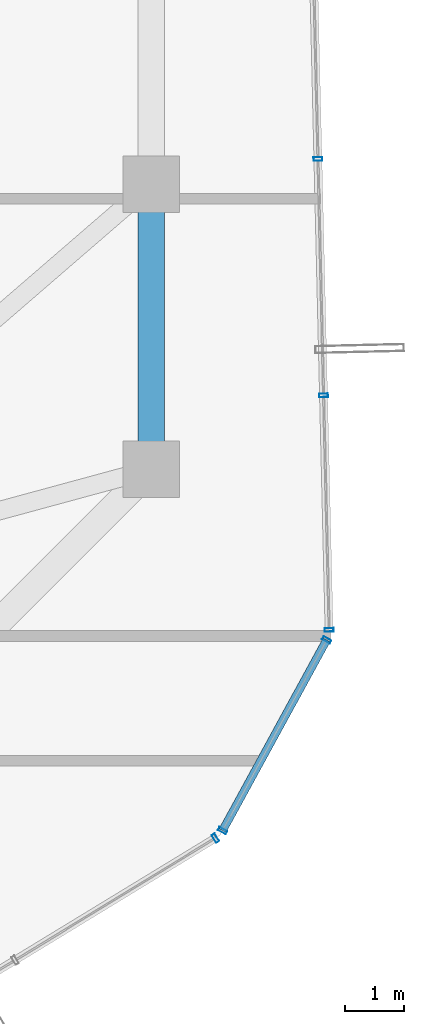
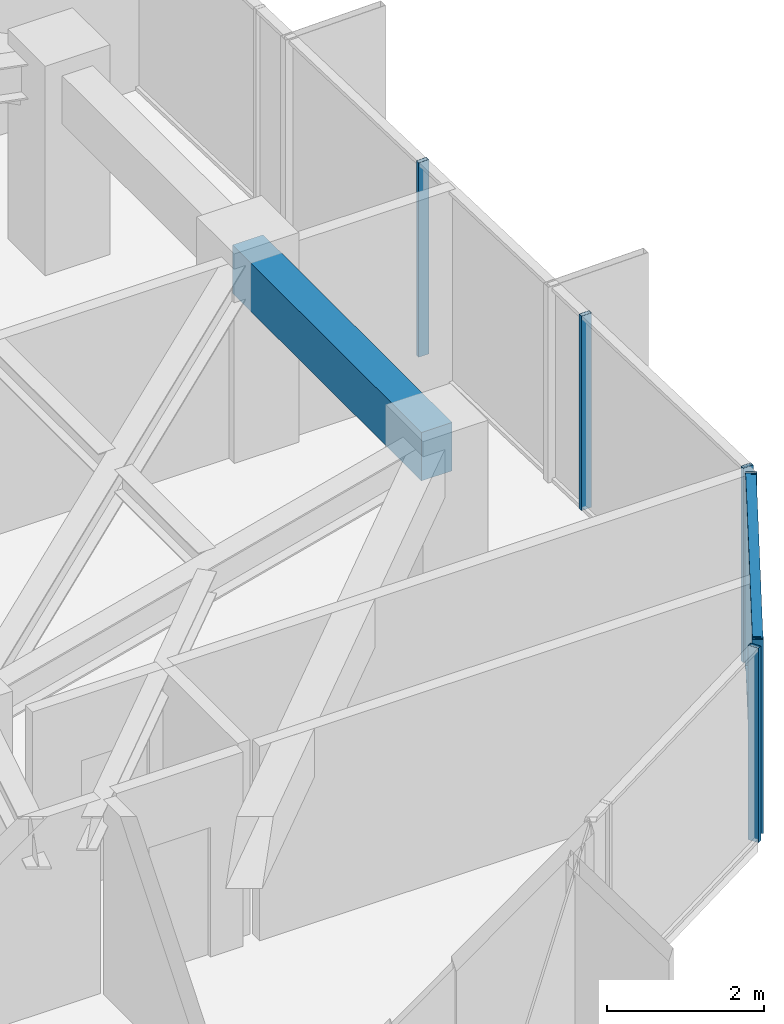
# One storey, part 18 of 32: 8 members, 1 beam, 3 elements without a shape of their own.
"""IFC4 building model written with IfcOpenShell, lengths in metres."""

from ifc_helpers import new_model, si_unit, direction, frame, origin, origin_2d, place, context, subcontext, project, spatial, rectangle, hollow_rectangle, extrude, source, transform, mapped, material, layer, layer_set, material_profile, profile_set, type_object, element, aggregate, save


model = new_model("IFC4")

# Units and contexts
model_context = context("Model", 3, precision=1e-05, world=origin(), true_north=direction((0.0, 1.0)))
body_context = subcontext(model_context, "Body", "Model", "MODEL_VIEW")
ifc_project = project(units=[si_unit("LENGTHUNIT", "METRE"), si_unit("AREAUNIT", "SQUARE_METRE"), si_unit("VOLUMEUNIT", "CUBIC_METRE"), si_unit("PLANEANGLEUNIT", "RADIAN"), si_unit("MASSUNIT", "GRAM", prefix="KILO")], contexts=[model_context])

# Site, building, storey
site_placement = place(None, origin())
site = spatial("IfcSite", under=ifc_project, at=site_placement, CompositionType="ELEMENT")
building_placement = place(site_placement, origin())
building = spatial("IfcBuilding", under=site, at=building_placement, Name="Veraguas Prism Commons", CompositionType="ELEMENT")
storey_placement = place(building_placement, frame((0.0, 0.0, 201.60009765625)))
storey = spatial("IfcBuildingStorey", under=building, at=storey_placement, Name="L57", CompositionType="ELEMENT", Elevation=201.60009765625)

# Beam
ifc_material_1 = material(Name="Concrete C50/60", Category="concrete")
ifc_material_profile_1 = material_profile(ifc_material_1, rectangle(XDim=0.449951171875, YDim=0.75, at=origin_2d()), Name="RC450X750")
ifc_profile_set_1 = profile_set([ifc_material_profile_1], Name="Concrete C50/60")
beam_type = type_object("IfcBeamType", Name="Perimeter Spandrel Upper RC 450x750", PredefinedType="SPANDREL", material=ifc_profile_set_1)
beam_placement = place(storey_placement, frame((38.89990234375, 19.199951171875, 2.639892578125), z_axis=(0.0, 1.0, 0.0), x_axis=(-1.0, 0.0, 0.0)))
element("IfcBeam", 1, at=beam_placement, inside=storey, type_object=beam_type, Name="Perimeter Spandrel Beam L57-SP01", PredefinedType="SPANDREL", context=body_context, shape_type="SweptSolid", body=[
    extrude(rectangle(XDim=0.449951171875, YDim=0.75, at=origin_2d()), origin(), (0.0, 0.0, 1.0), 4.800048828125),
])

# Curtain wall, member
ifc_material_2 = material(Name="Anodised aluminium EN AW-6063 T6", Category="aluminium")
ifc_layer = layer(ifc_material_2, 0.14990234375, Name="Unitised Flush Curtain Wall Zone 3", Category="aluminium")
ifc_layer_set = layer_set([ifc_layer], Name="Anodised aluminium EN AW-6063 T6")
curtain_wall_type = type_object("IfcCurtainWallType", Name="Unitised Flush Curtain Wall Zone 3", PredefinedType="NOTDEFINED", material=ifc_layer_set)
curtain_wall_1_placement = place(storey_placement, origin())
curtain_wall_1 = element("IfcCurtainWall", 2, at=curtain_wall_1_placement, inside=storey, type_object=curtain_wall_type, Name="Tower Facade Curtain Wall L57-F5", PredefinedType="NOTDEFINED")
ifc_material_profile_2 = material_profile(ifc_material_2, hollow_rectangle(XDim=0.06005859375, YDim=0.14990234375, WallThickness=0.0029296875, at=origin_2d()), Name="AL60X150X3")
ifc_profile_set_2 = profile_set([ifc_material_profile_2], Name="Anodised aluminium EN AW-6063 T6")
member_type_1 = type_object("IfcMemberType", Name="Curtain Wall Mullion Upper AL 60x150x3", PredefinedType="MULLION", material=ifc_profile_set_2)
shared_shape_1 = source(origin(), body_context, "Body", "SweptSolid", [
    extrude(hollow_rectangle(XDim=0.06005859375, YDim=0.14990234375, WallThickness=0.0029296875, at=origin_2d()), origin(), (0.0, 0.0, 1.0), 3.014892578125),
])
member_1_placement = place(storey_placement, frame((39.980712890625, 12.999267578125, 0.0), z_axis=(0.0, 0.0, 1.0), x_axis=(0.853914322581, 0.520413614052, 0.0)))
member_1 = element("IfcMember", 3, at=member_1_placement, type_object=member_type_1, Name="CW-Z3 Mullion 5", PredefinedType="MULLION", context=body_context, shape_type="MappedRepresentation", body=[
    mapped(shared_shape_1, transform((0.0, 0.0, 0.0), scale=1.0)),
])
aggregate(curtain_wall_1, [member_1])

# Curtain wall, members
curtain_wall_2_placement = place(storey_placement, origin())
curtain_wall_2 = element("IfcCurtainWall", 4, at=curtain_wall_2_placement, inside=storey, type_object=curtain_wall_type, Name="Tower Facade Curtain Wall L57-F6", PredefinedType="NOTDEFINED")
member_2_placement = place(storey_placement, frame((41.893310546875, 16.50146484375, 0.0), z_axis=(0.0, 0.0, 1.0), x_axis=(-0.023737738629, 0.999718220182, 0.0)))
member_2 = element("IfcMember", 5, at=member_2_placement, type_object=member_type_1, Name="CW-Z3 Mullion 1", PredefinedType="MULLION", context=body_context, shape_type="MappedRepresentation", body=[
    mapped(shared_shape_1, transform((0.0, 0.0, 0.0), scale=1.0)),
])
member_3_placement = place(storey_placement, frame((41.799560546875, 20.44580078125, 0.0), z_axis=(0.0, 0.0, 1.0), x_axis=(-0.023737738629, 0.999718220182, 0.0)))
member_3 = element("IfcMember", 6, at=member_3_placement, type_object=member_type_1, Name="CW-Z3 Mullion 2", PredefinedType="MULLION", context=body_context, shape_type="MappedRepresentation", body=[
    mapped(shared_shape_1, transform((0.0, 0.0, 0.0), scale=1.0)),
])
member_4_placement = place(storey_placement, frame((41.705322265625, 24.42041015625, 0.0), z_axis=(0.0, 0.0, 1.0), x_axis=(-0.023737738629, 0.999718220182, 0.0)))
member_4 = element("IfcMember", 7, at=member_4_placement, type_object=member_type_1, Name="CW-Z3 Mullion 3", PredefinedType="MULLION", context=body_context, shape_type="MappedRepresentation", body=[
    mapped(shared_shape_1, transform((0.0, 0.0, 0.0), scale=1.0)),
])
aggregate(curtain_wall_2, [member_2, member_3, member_4])

curtain_wall_3_placement = place(storey_placement, origin())
curtain_wall_3 = element("IfcCurtainWall", 8, at=curtain_wall_3_placement, inside=storey, type_object=curtain_wall_type, Name="Chamfer Curtain Wall L57-C6", PredefinedType="NOTDEFINED")
member_5_placement = place(storey_placement, frame((40.1005859375, 13.125244140625, 0.0), z_axis=(0.0, 0.0, 1.0), x_axis=(0.479303157198, 0.877649408078, 0.0)))
member_5 = element("IfcMember", 9, at=member_5_placement, type_object=member_type_1, Name="CW-Z3 Mullion 1", PredefinedType="MULLION", context=body_context, shape_type="MappedRepresentation", body=[
    mapped(shared_shape_1, transform((0.0, 0.0, 0.0), scale=1.0)),
])
member_6_placement = place(storey_placement, frame((41.852294921875, 16.332275390625, 0.0), z_axis=(0.0, 0.0, 1.0), x_axis=(0.479303157198, 0.877649408078, 0.0)))
member_6 = element("IfcMember", 10, at=member_6_placement, type_object=member_type_1, Name="CW-Z3 Mullion 2", PredefinedType="MULLION", context=body_context, shape_type="MappedRepresentation", body=[
    mapped(shared_shape_1, transform((0.0, 0.0, 0.0), scale=1.0)),
])
ifc_material_profile_3 = material_profile(ifc_material_2, hollow_rectangle(XDim=0.054931640625, YDim=0.135009765625, WallThickness=0.0029296875, at=origin_2d()), Name="AL55X135X3")
ifc_profile_set_3 = profile_set([ifc_material_profile_3], Name="Anodised aluminium EN AW-6063 T6")
member_type_2 = type_object("IfcMemberType", Name="Curtain Wall Transom Standard AL 55x135x3", PredefinedType="USERDEFINED", material=ifc_profile_set_3)
shared_shape_2 = source(origin(), body_context, "Body", "SweptSolid", [
    extrude(hollow_rectangle(XDim=0.054931640625, YDim=0.135009765625, WallThickness=0.0029296875, at=origin_2d()), origin(), (0.0, 0.0, 1.0), 3.654296875),
])
member_7_placement = place(storey_placement, frame((40.1005859375, 13.125244140625, 0.02734375), z_axis=(0.479362274505, 0.877617120265, 0.0), x_axis=(0.0, 0.0, 1.0)))
member_7 = element("IfcMember", 11, at=member_7_placement, type_object=member_type_2, Name="CW-Z3 Transom 1", ObjectType="TRANSOM", PredefinedType="USERDEFINED", context=body_context, shape_type="MappedRepresentation", body=[
    mapped(shared_shape_2, transform((0.0, 0.0, 0.0), scale=1.0)),
])
member_8_placement = place(storey_placement, frame((40.1005859375, 13.125244140625, 2.9873046875), z_axis=(0.479362274505, 0.877617120265, 0.0), x_axis=(0.0, 0.0, 1.0)))
member_8 = element("IfcMember", 12, at=member_8_placement, type_object=member_type_2, Name="CW-Z3 Transom 2", ObjectType="TRANSOM", PredefinedType="USERDEFINED", context=body_context, shape_type="MappedRepresentation", body=[
    mapped(shared_shape_2, transform((0.0, 0.0, 0.0), scale=1.0)),
])
aggregate(curtain_wall_3, [member_5, member_6, member_7, member_8])

save(model, "model.ifc")
